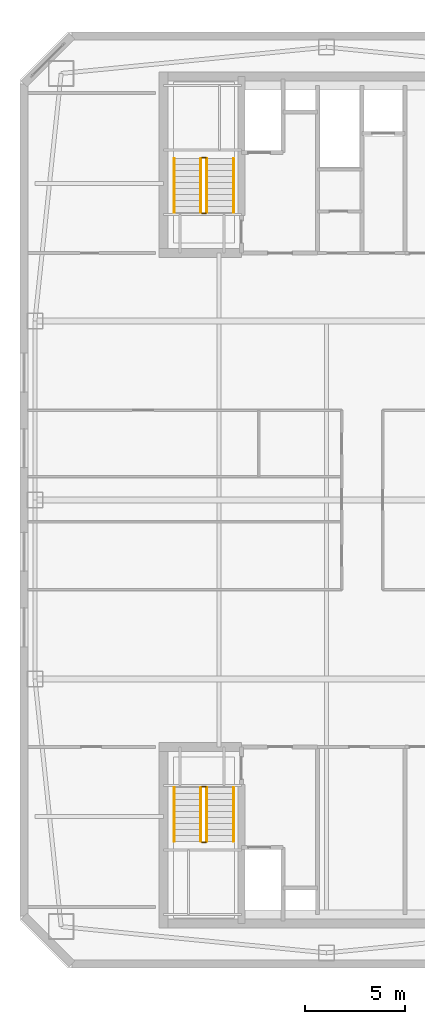
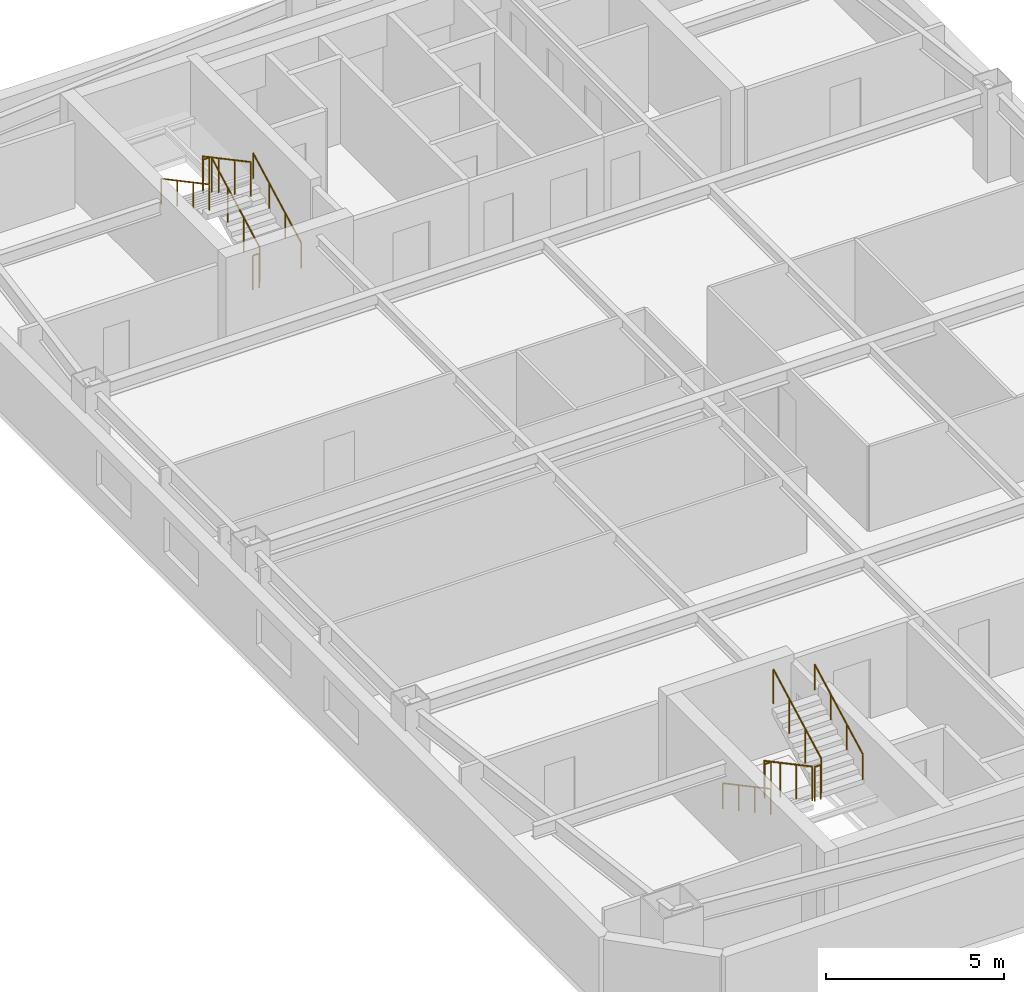
# One storey, part 19 of 20: 12 railings.
"""IFC4 building model written with IfcOpenShell, lengths in metres."""

from ifc_helpers import new_model, si_unit, direction, frame, origin, origin_2d, place, context, subcontext, project, spatial, circle, extrude, material, type_object, element, save


model = new_model("IFC4")

# Units and contexts
model_context = context("Model", 3, precision=1e-05, world=origin(), true_north=direction((0.0, 1.0)))
body_context = subcontext(model_context, "Body", "Model", "MODEL_VIEW")
ifc_project = project(units=[si_unit("LENGTHUNIT", "METRE"), si_unit("AREAUNIT", "SQUARE_METRE"), si_unit("VOLUMEUNIT", "CUBIC_METRE"), si_unit("PLANEANGLEUNIT", "RADIAN"), si_unit("MASSUNIT", "GRAM", prefix="KILO")], contexts=[model_context])

# Site, building, storey
site_placement = place(None, origin())
site = spatial("IfcSite", under=ifc_project, at=site_placement, CompositionType="ELEMENT")
building_placement = place(site_placement, origin())
building = spatial("IfcBuilding", under=site, at=building_placement, Name="Qiaolan Cultural Towers", CompositionType="ELEMENT")
storey_placement = place(building_placement, frame((0.0, 0.0, 244.0)))
storey = spatial("IfcBuildingStorey", under=building, at=storey_placement, Name="L66", CompositionType="ELEMENT", Elevation=244.0)

# Railings
ifc_material_1 = material(Name="Galvanized Painted Steel Stair Guardrail", Category="steel")
railing_type_1 = type_object("IfcRailingType", Name="RL-STAIR-GRD", PredefinedType="GUARDRAIL", material=ifc_material_1)
railing_1_placement = place(storey_placement, frame((23.68994140625, 19.550048828125, 0.159912109375)))
element("IfcRailing", 1, at=railing_1_placement, inside=storey, type_object=railing_type_1, Name="L66 ST-W1 stair guard 1", PredefinedType="GUARDRAIL", context=body_context, shape_type="SweptSolid", body=[
    extrude(circle(Radius=0.02392578125, at=origin_2d()), frame((0.0, 0.0, 1.17578125), z_axis=(0.0, -0.882324228566, 0.470642067484), x_axis=(1.0, 0.0, 0.0)), (0.0, 0.0, 1.0), 3.06005859375),
    extrude(circle(Radius=0.02099609375, at=origin_2d()), origin(), (0.0, 0.0, 1.0), 1.15185546875),
    extrude(circle(Radius=0.02099609375, at=origin_2d()), frame((0.0, -0.89990234375, 0.47998046875)), (0.0, 0.0, 1.0), 1.15185546875),
    extrude(circle(Radius=0.02099609375, at=origin_2d()), frame((0.0, -1.800048828125, 0.960205078125)), (0.0, 0.0, 1.0), 1.15185546875),
    extrude(circle(Radius=0.02099609375, at=origin_2d()), frame((0.0, -2.699951171875, 1.440185546875)), (0.0, 0.0, 1.0), 1.15185546875),
])
railing_2_placement = place(storey_placement, frame((23.739990234375, 16.800048828125, 1.60009765625)))
element("IfcRailing", 2, at=railing_2_placement, inside=storey, type_object=railing_type_1, Name="L66 ST-W1 stair guard 2", PredefinedType="GUARDRAIL", context=body_context, shape_type="SweptSolid", body=[
    extrude(circle(Radius=0.02392578125, at=origin_2d()), frame((0.0, 0.0, 1.17578125), z_axis=(1.0, 0.0, 0.0), x_axis=(0.0, 1.0, 0.0)), (0.0, 0.0, 1.0), 0.199951171875),
    extrude(circle(Radius=0.02099609375, at=origin_2d()), origin(), (0.0, 0.0, 1.0), 1.15185546875),
    extrude(circle(Radius=0.02099609375, at=origin_2d()), frame((0.199951171875, 0.0, 0.0)), (0.0, 0.0, 1.0), 1.15185546875),
])
railing_3_placement = place(storey_placement, frame((23.989990234375, 16.85009765625, 1.760009765625)))
element("IfcRailing", 3, at=railing_3_placement, inside=storey, type_object=railing_type_1, Name="L66 ST-W1 stair guard 3", PredefinedType="GUARDRAIL", context=body_context, shape_type="SweptSolid", body=[
    extrude(circle(Radius=0.02392578125, at=origin_2d()), frame((0.0, 0.0, 1.17578125), z_axis=(0.0, 0.882357358376, 0.470579952952), x_axis=(-1.0, 0.0, 0.0)), (0.0, 0.0, 1.0), 3.059814453125),
    extrude(circle(Radius=0.02099609375, at=origin_2d()), origin(), (0.0, 0.0, 1.0), 1.15185546875),
    extrude(circle(Radius=0.02099609375, at=origin_2d()), frame((0.0, 0.89990234375, 0.47998046875)), (0.0, 0.0, 1.0), 1.15185546875),
    extrude(circle(Radius=0.02099609375, at=origin_2d()), frame((0.0, 1.800048828125, 0.9599609375)), (0.0, 0.0, 1.0), 1.15185546875),
    extrude(circle(Radius=0.02099609375, at=origin_2d()), frame((0.0, 2.699951171875, 1.43994140625)), (0.0, 0.0, 1.0), 1.15185546875),
])
railing_4_placement = place(storey_placement, frame((23.739990234375, 19.60009765625, 0.0)))
element("IfcRailing", 4, at=railing_4_placement, inside=storey, type_object=railing_type_1, Name="L66 ST-W1 stair guard 4", PredefinedType="GUARDRAIL", context=body_context, shape_type="SweptSolid", body=[
    extrude(circle(Radius=0.02392578125, at=origin_2d()), frame((0.0, 0.0, 1.17578125), z_axis=(1.0, 0.0, 0.0), x_axis=(0.0, 1.0, 0.0)), (0.0, 0.0, 1.0), 0.199951171875),
    extrude(circle(Radius=0.02099609375, at=origin_2d()), origin(), (0.0, 0.0, 1.0), 1.15185546875),
    extrude(circle(Radius=0.02099609375, at=origin_2d()), frame((0.199951171875, 0.0, 0.0)), (0.0, 0.0, 1.0), 1.15185546875),
])
railing_5_placement = place(storey_placement, frame((23.989990234375, 48.449951171875, 0.159912109375)))
element("IfcRailing", 5, at=railing_5_placement, inside=storey, type_object=railing_type_1, Name="L66 ST-W2 stair guard 1", PredefinedType="GUARDRAIL", context=body_context, shape_type="SweptSolid", body=[
    extrude(circle(Radius=0.02392578125, at=origin_2d()), frame((0.0, 0.0, 1.17578125), z_axis=(0.0, 0.882324228566, 0.470642067484), x_axis=(-1.0, 0.0, 0.0)), (0.0, 0.0, 1.0), 3.06005859375),
    extrude(circle(Radius=0.02099609375, at=origin_2d()), origin(), (0.0, 0.0, 1.0), 1.15185546875),
    extrude(circle(Radius=0.02099609375, at=origin_2d()), frame((0.0, 0.89990234375, 0.47998046875)), (0.0, 0.0, 1.0), 1.15185546875),
    extrude(circle(Radius=0.02099609375, at=origin_2d()), frame((0.0, 1.800048828125, 0.960205078125)), (0.0, 0.0, 1.0), 1.15185546875),
    extrude(circle(Radius=0.02099609375, at=origin_2d()), frame((0.0, 2.699951171875, 1.440185546875)), (0.0, 0.0, 1.0), 1.15185546875),
])
railing_6_placement = place(storey_placement, frame((23.93994140625, 51.199951171875, 1.60009765625)))
element("IfcRailing", 6, at=railing_6_placement, inside=storey, type_object=railing_type_1, Name="L66 ST-W2 stair guard 2", PredefinedType="GUARDRAIL", context=body_context, shape_type="SweptSolid", body=[
    extrude(circle(Radius=0.02392578125, at=origin_2d()), frame((0.0, 0.0, 1.17578125), z_axis=(-1.0, 0.0, 0.0), x_axis=(0.0, -1.0, 0.0)), (0.0, 0.0, 1.0), 0.199951171875),
    extrude(circle(Radius=0.02099609375, at=origin_2d()), origin(), (0.0, 0.0, 1.0), 1.15185546875),
    extrude(circle(Radius=0.02099609375, at=origin_2d()), frame((-0.199951171875, 0.0, 0.0)), (0.0, 0.0, 1.0), 1.15185546875),
])
railing_7_placement = place(storey_placement, frame((23.68994140625, 51.14990234375, 1.760009765625)))
element("IfcRailing", 7, at=railing_7_placement, inside=storey, type_object=railing_type_1, Name="L66 ST-W2 stair guard 3", PredefinedType="GUARDRAIL", context=body_context, shape_type="SweptSolid", body=[
    extrude(circle(Radius=0.02392578125, at=origin_2d()), frame((0.0, 0.0, 1.17578125), z_axis=(0.0, -0.882357358376, 0.470579952952), x_axis=(1.0, 0.0, 0.0)), (0.0, 0.0, 1.0), 3.059814453125),
    extrude(circle(Radius=0.02099609375, at=origin_2d()), origin(), (0.0, 0.0, 1.0), 1.15185546875),
    extrude(circle(Radius=0.02099609375, at=origin_2d()), frame((0.0, -0.89990234375, 0.47998046875)), (0.0, 0.0, 1.0), 1.15185546875),
    extrude(circle(Radius=0.02099609375, at=origin_2d()), frame((0.0, -1.800048828125, 0.9599609375)), (0.0, 0.0, 1.0), 1.15185546875),
    extrude(circle(Radius=0.02099609375, at=origin_2d()), frame((0.0, -2.699951171875, 1.43994140625)), (0.0, 0.0, 1.0), 1.15185546875),
])
railing_8_placement = place(storey_placement, frame((23.93994140625, 48.39990234375, 0.0)))
element("IfcRailing", 8, at=railing_8_placement, inside=storey, type_object=railing_type_1, Name="L66 ST-W2 stair guard 4", PredefinedType="GUARDRAIL", context=body_context, shape_type="SweptSolid", body=[
    extrude(circle(Radius=0.02392578125, at=origin_2d()), frame((0.0, 0.0, 1.17578125), z_axis=(-1.0, 0.0, 0.0), x_axis=(0.0, -1.0, 0.0)), (0.0, 0.0, 1.0), 0.199951171875),
    extrude(circle(Radius=0.02099609375, at=origin_2d()), origin(), (0.0, 0.0, 1.0), 1.15185546875),
    extrude(circle(Radius=0.02099609375, at=origin_2d()), frame((-0.199951171875, 0.0, 0.0)), (0.0, 0.0, 1.0), 1.15185546875),
])
ifc_material_2 = material(Name="Stainless Steel S30408 Tubular Handrail", Category="steel")
railing_type_2 = type_object("IfcRailingType", Name="RL-STAIR-HR", PredefinedType="HANDRAIL", material=ifc_material_2)
railing_9_placement = place(storey_placement, frame((22.35009765625, 19.550048828125, 0.159912109375)))
element("IfcRailing", 9, at=railing_9_placement, inside=storey, type_object=railing_type_2, Name="L66 ST-W1 stair handrail 1", PredefinedType="HANDRAIL", context=body_context, shape_type="SweptSolid", body=[
    extrude(circle(Radius=0.02392578125, at=origin_2d()), frame((0.0, 0.0, 0.8759765625), z_axis=(0.0, -0.882324228566, 0.470642067484), x_axis=(1.0, 0.0, 0.0)), (0.0, 0.0, 1.0), 3.06005859375),
    extrude(circle(Radius=0.02099609375, at=origin_2d()), origin(), (0.0, 0.0, 1.0), 0.851806640625),
    extrude(circle(Radius=0.02099609375, at=origin_2d()), frame((0.0, -0.89990234375, 0.47998046875)), (0.0, 0.0, 1.0), 0.851806640625),
    extrude(circle(Radius=0.02099609375, at=origin_2d()), frame((0.0, -1.800048828125, 0.960205078125)), (0.0, 0.0, 1.0), 0.851806640625),
    extrude(circle(Radius=0.02099609375, at=origin_2d()), frame((0.0, -2.699951171875, 1.440185546875)), (0.0, 0.0, 1.0), 0.851806640625),
])
railing_10_placement = place(storey_placement, frame((25.330078125, 16.85009765625, 1.760009765625)))
element("IfcRailing", 10, at=railing_10_placement, inside=storey, type_object=railing_type_2, Name="L66 ST-W1 stair handrail 2", PredefinedType="HANDRAIL", context=body_context, shape_type="SweptSolid", body=[
    extrude(circle(Radius=0.02392578125, at=origin_2d()), frame((0.0, 0.0, 0.8759765625), z_axis=(0.0, 0.882357358376, 0.470579952952), x_axis=(-1.0, 0.0, 0.0)), (0.0, 0.0, 1.0), 3.059814453125),
    extrude(circle(Radius=0.02099609375, at=origin_2d()), origin(), (0.0, 0.0, 1.0), 0.851806640625),
    extrude(circle(Radius=0.02099609375, at=origin_2d()), frame((0.0, 0.89990234375, 0.47998046875)), (0.0, 0.0, 1.0), 0.851806640625),
    extrude(circle(Radius=0.02099609375, at=origin_2d()), frame((0.0, 1.800048828125, 0.9599609375)), (0.0, 0.0, 1.0), 0.851806640625),
    extrude(circle(Radius=0.02099609375, at=origin_2d()), frame((0.0, 2.699951171875, 1.43994140625)), (0.0, 0.0, 1.0), 0.851806640625),
])
railing_11_placement = place(storey_placement, frame((25.330078125, 48.449951171875, 0.159912109375)))
element("IfcRailing", 11, at=railing_11_placement, inside=storey, type_object=railing_type_2, Name="L66 ST-W2 stair handrail 1", PredefinedType="HANDRAIL", context=body_context, shape_type="SweptSolid", body=[
    extrude(circle(Radius=0.02392578125, at=origin_2d()), frame((0.0, 0.0, 0.8759765625), z_axis=(0.0, 0.882324228566, 0.470642067484), x_axis=(-1.0, 0.0, 0.0)), (0.0, 0.0, 1.0), 3.06005859375),
    extrude(circle(Radius=0.02099609375, at=origin_2d()), origin(), (0.0, 0.0, 1.0), 0.851806640625),
    extrude(circle(Radius=0.02099609375, at=origin_2d()), frame((0.0, 0.89990234375, 0.47998046875)), (0.0, 0.0, 1.0), 0.851806640625),
    extrude(circle(Radius=0.02099609375, at=origin_2d()), frame((0.0, 1.800048828125, 0.960205078125)), (0.0, 0.0, 1.0), 0.851806640625),
    extrude(circle(Radius=0.02099609375, at=origin_2d()), frame((0.0, 2.699951171875, 1.440185546875)), (0.0, 0.0, 1.0), 0.851806640625),
])
railing_12_placement = place(storey_placement, frame((22.35009765625, 51.14990234375, 1.760009765625)))
element("IfcRailing", 12, at=railing_12_placement, inside=storey, type_object=railing_type_2, Name="L66 ST-W2 stair handrail 2", PredefinedType="HANDRAIL", context=body_context, shape_type="SweptSolid", body=[
    extrude(circle(Radius=0.02392578125, at=origin_2d()), frame((0.0, 0.0, 0.8759765625), z_axis=(0.0, -0.882357358376, 0.470579952952), x_axis=(1.0, 0.0, 0.0)), (0.0, 0.0, 1.0), 3.059814453125),
    extrude(circle(Radius=0.02099609375, at=origin_2d()), origin(), (0.0, 0.0, 1.0), 0.851806640625),
    extrude(circle(Radius=0.02099609375, at=origin_2d()), frame((0.0, -0.89990234375, 0.47998046875)), (0.0, 0.0, 1.0), 0.851806640625),
    extrude(circle(Radius=0.02099609375, at=origin_2d()), frame((0.0, -1.800048828125, 0.9599609375)), (0.0, 0.0, 1.0), 0.851806640625),
    extrude(circle(Radius=0.02099609375, at=origin_2d()), frame((0.0, -2.699951171875, 1.43994140625)), (0.0, 0.0, 1.0), 0.851806640625),
])

save(model, "model.ifc")
